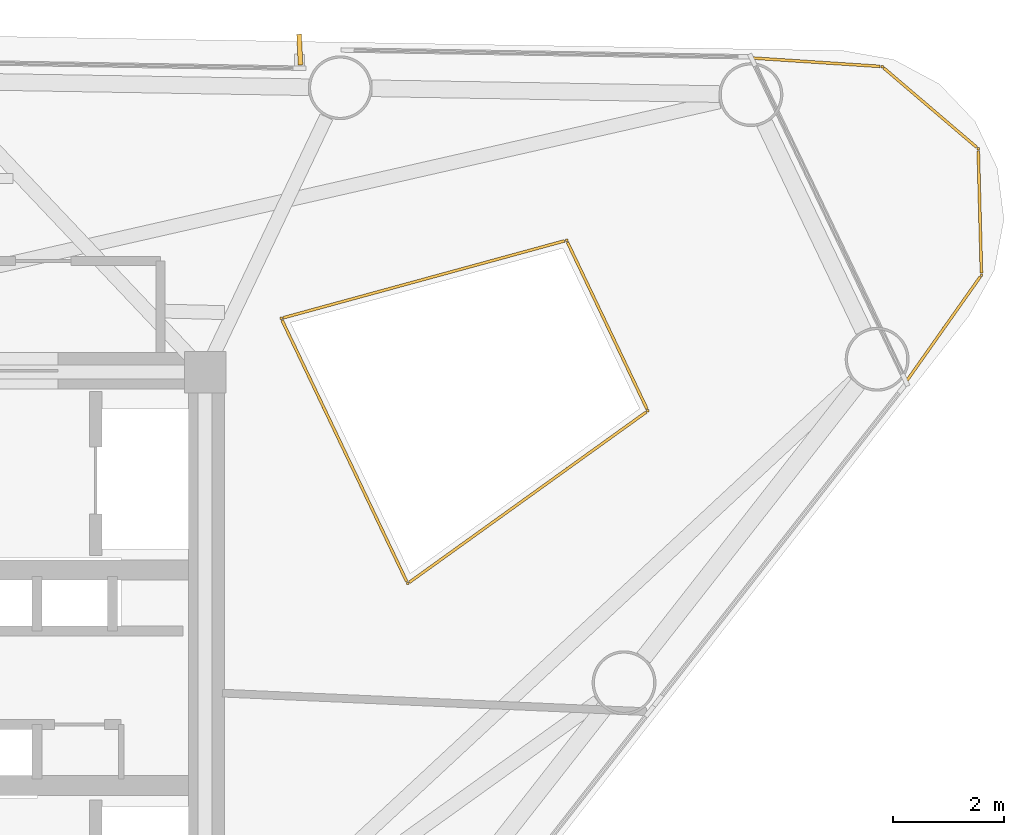
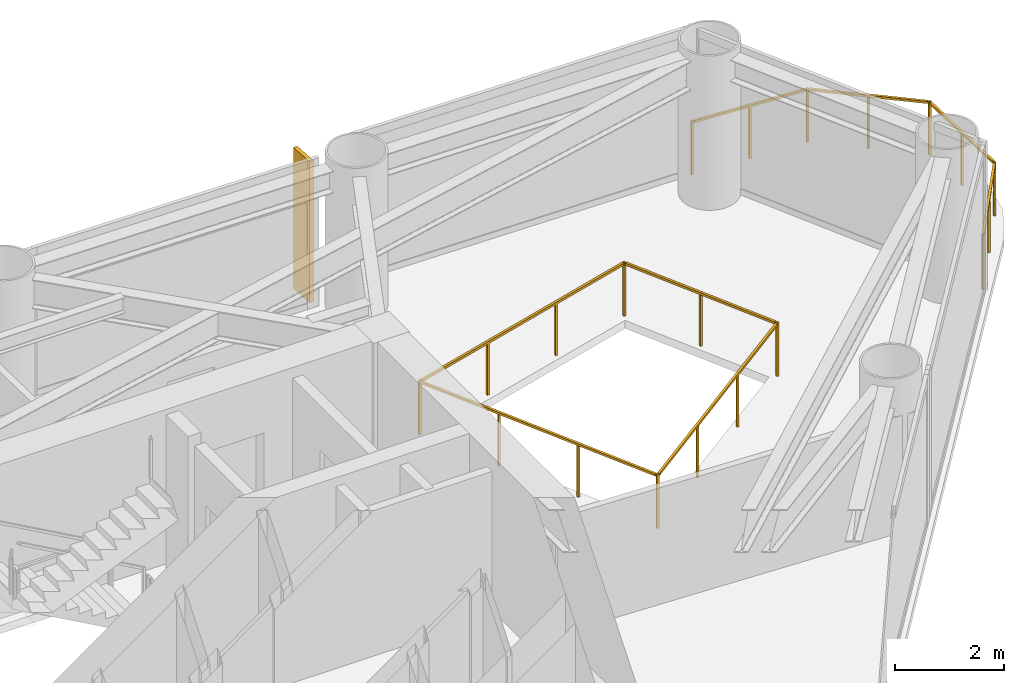
# One storey, part 9 of 9: 2 railings, 1 shading device.
"""IFC4 building model written with IfcOpenShell, lengths in metres."""

from ifc_helpers import new_model, si_unit, direction, frame, origin, origin_2d, place, context, subcontext, project, spatial, rectangle, extrude, source, transform, mapped, material, material_profile, profile_set, type_object, element, save


model = new_model("IFC4")

# Units and contexts
model_context = context("Model", 3, precision=1e-05, world=origin(), true_north=direction((0.0, 1.0)))
body_context = subcontext(model_context, "Body", "Model", "MODEL_VIEW")
ifc_project = project(units=[si_unit("LENGTHUNIT", "METRE"), si_unit("AREAUNIT", "SQUARE_METRE"), si_unit("VOLUMEUNIT", "CUBIC_METRE"), si_unit("PLANEANGLEUNIT", "RADIAN"), si_unit("MASSUNIT", "GRAM", prefix="KILO")], contexts=[model_context])

# Site, building, storey
site_placement = place(None, origin())
site = spatial("IfcSite", under=ifc_project, at=site_placement, CompositionType="ELEMENT")
building_placement = place(site_placement, origin())
building = spatial("IfcBuilding", under=site, at=building_placement, Name="Yunling Apex Tower", CompositionType="ELEMENT")
storey_placement = place(building_placement, frame((0.0, 0.0, 194.89990234375)))
storey = spatial("IfcBuildingStorey", under=building, at=storey_placement, Name="L47", CompositionType="ELEMENT", Elevation=194.89990234375)

# Railings
ifc_material = material(Name="Bronze anodised aluminium", Category="aluminium")
railing_type = type_object("IfcRailingType", Name="RL-BAL-1200", PredefinedType="BALUSTRADE", material=ifc_material)
railing_1_placement = place(storey_placement, frame((15.8828125, 11.15380859375, 0.0)))
element("IfcRailing", 1, at=railing_1_placement, inside=storey, type_object=railing_type, Name="RL-CRNSILL-L47-1", PredefinedType="BALUSTRADE", context=body_context, shape_type="SweptSolid", body=[
    extrude(rectangle(XDim=0.0439453125, YDim=0.0439453125, at=origin_2d()), origin(), (0.0, 0.0, 1.0), 1.199951171875),
    extrude(rectangle(XDim=0.0439453125, YDim=0.0439453125, at=origin_2d()), frame((2.349365234375, -0.154541015625, 0.0)), (0.0, 0.0, 1.0), 1.199951171875),
    extrude(rectangle(XDim=0.050048828125, YDim=0.050048828125, at=origin_2d()), frame((0.038330078125, -0.00244140625, 1.1748046875), z_axis=(0.997843498088, -0.065638047832, 0.0), x_axis=(0.065638047832, 0.997843498088, 0.0)), (0.0, 0.0, 1.0), 2.27783203125),
    extrude(rectangle(XDim=0.0439453125, YDim=0.0439453125, at=origin_2d()), frame((1.1748046875, -0.0771484375, 0.0)), (0.0, 0.0, 1.0), 1.14599609375),
    extrude(rectangle(XDim=0.0439453125, YDim=0.0439453125, at=origin_2d()), frame((4.080322265625, -1.6318359375, 0.0)), (0.0, 0.0, 1.0), 1.199951171875),
    extrude(rectangle(XDim=0.050048828125, YDim=0.050048828125, at=origin_2d()), frame((2.37841796875, -0.179443359375, 1.1748046875), z_axis=(0.760640732553, -0.6491730709, 0.0), x_axis=(0.6491730709, 0.760640732553, 0.0)), (0.0, 0.0, 1.0), 2.198974609375),
    extrude(rectangle(XDim=0.0439453125, YDim=0.0439453125, at=origin_2d()), frame((3.21484375, -0.89306640625, 0.0)), (0.0, 0.0, 1.0), 1.14599609375),
    extrude(rectangle(XDim=0.0439453125, YDim=0.0439453125, at=origin_2d()), frame((4.138916015625, -3.90673828125, 0.0)), (0.0, 0.0, 1.0), 1.199951171875),
    extrude(rectangle(XDim=0.050048828125, YDim=0.050048828125, at=origin_2d()), frame((4.081298828125, -1.670166015625, 1.1748046875), z_axis=(0.025748060881, -0.999668463722, 0.0), x_axis=(0.999668463722, 0.025748060881, 0.0)), (0.0, 0.0, 1.0), 2.198974609375),
    extrude(rectangle(XDim=0.0439453125, YDim=0.0439453125, at=origin_2d()), frame((4.109619140625, -2.769287109375, 0.0)), (0.0, 0.0, 1.0), 1.14599609375),
    extrude(rectangle(XDim=0.0439453125, YDim=0.0439453125, at=origin_2d()), frame((2.78076171875, -5.829833984375, 0.0)), (0.0, 0.0, 1.0), 1.199951171875),
    extrude(rectangle(XDim=0.050048828125, YDim=0.050048828125, at=origin_2d()), frame((4.11669921875, -3.93798828125, 1.1748046875), z_axis=(-0.57687453298, -0.81683276942, 0.0), x_axis=(0.81683276942, -0.57687453298, 0.0)), (0.0, 0.0, 1.0), 2.277587890625),
    extrude(rectangle(XDim=0.0439453125, YDim=0.0439453125, at=origin_2d()), frame((3.4599609375, -4.8681640625, 0.0)), (0.0, 0.0, 1.0), 1.14599609375),
])
railing_2_placement = place(storey_placement, frame((7.41845703125, 6.46728515625, 0.0)))
element("IfcRailing", 2, at=railing_2_placement, inside=storey, type_object=railing_type, Name="RL-TATR-L47", PredefinedType="BALUSTRADE", context=body_context, shape_type="SweptSolid", body=[
    extrude(rectangle(XDim=0.0439453125, YDim=0.0439453125, at=origin_2d()), origin(), (0.0, 0.0, 1.0), 1.199951171875),
    extrude(rectangle(XDim=0.0439453125, YDim=0.0439453125, at=origin_2d()), frame((5.135498046875, 1.404541015625, 0.0)), (0.0, 0.0, 1.0), 1.199951171875),
    extrude(rectangle(XDim=0.050048828125, YDim=0.050048828125, at=origin_2d()), frame((0.036865234375, 0.010009765625, 1.1748046875), z_axis=(0.964575212807, 0.263807996162, 0.0), x_axis=(-0.263807996162, 0.964575212807, 0.0)), (0.0, 0.0, 1.0), 5.24755859375),
    extrude(rectangle(XDim=0.0439453125, YDim=0.0439453125, at=origin_2d()), frame((1.7119140625, 0.46826171875, 0.0)), (0.0, 0.0, 1.0), 1.14599609375),
    extrude(rectangle(XDim=0.0439453125, YDim=0.0439453125, at=origin_2d()), frame((3.423583984375, 0.936279296875, 0.0)), (0.0, 0.0, 1.0), 1.14599609375),
    extrude(rectangle(XDim=0.0439453125, YDim=0.0439453125, at=origin_2d()), frame((6.599609375, -1.664794921875, 0.0)), (0.0, 0.0, 1.0), 1.199951171875),
    extrude(rectangle(XDim=0.050048828125, YDim=0.050048828125, at=origin_2d()), frame((5.152099609375, 1.369873046875, 1.1748046875), z_axis=(0.430538211034, -0.902572351028, 0.0), x_axis=(0.902572351028, 0.430538211034, 0.0)), (0.0, 0.0, 1.0), 3.323974609375),
    extrude(rectangle(XDim=0.0439453125, YDim=0.0439453125, at=origin_2d()), frame((5.86767578125, -0.130126953125, 0.0)), (0.0, 0.0, 1.0), 1.14599609375),
    extrude(rectangle(XDim=0.0439453125, YDim=0.0439453125, at=origin_2d()), frame((2.276123046875, -4.77197265625, 0.0)), (0.0, 0.0, 1.0), 1.199951171875),
    extrude(rectangle(XDim=0.050048828125, YDim=0.050048828125, at=origin_2d()), frame((6.568603515625, -1.687255859375, 1.1748046875), z_axis=(-0.812044572196, -0.583595418733, 0.0), x_axis=(0.583595418733, -0.812044572196, 0.0)), (0.0, 0.0, 1.0), 5.24755859375),
    extrude(rectangle(XDim=0.0439453125, YDim=0.0439453125, at=origin_2d()), frame((5.158447265625, -2.700439453125, 0.0)), (0.0, 0.0, 1.0), 1.14599609375),
    extrude(rectangle(XDim=0.0439453125, YDim=0.0439453125, at=origin_2d()), frame((3.71728515625, -3.736328125, 0.0)), (0.0, 0.0, 1.0), 1.14599609375),
    extrude(rectangle(XDim=0.050048828125, YDim=0.050048828125, at=origin_2d()), frame((2.259521484375, -4.7373046875, 1.1748046875), z_axis=(-0.430512460038, 0.902584634121, 0.0), x_axis=(-0.902584634121, -0.430512460038, 0.0)), (0.0, 0.0, 1.0), 5.21044921875),
    extrude(rectangle(XDim=0.0439453125, YDim=0.0439453125, at=origin_2d()), frame((1.517333984375, -3.181396484375, 0.0)), (0.0, 0.0, 1.0), 1.14599609375),
    extrude(rectangle(XDim=0.0439453125, YDim=0.0439453125, at=origin_2d()), frame((0.7587890625, -1.590576171875, 0.0)), (0.0, 0.0, 1.0), 1.14599609375),
])

# Shading device
ifc_material_profile = material_profile(ifc_material, rectangle(XDim=0.0849609375, YDim=0.550048828125, at=origin_2d()))
ifc_profile_set = profile_set([ifc_material_profile], Name="Bronze anodised aluminium")
shading_device_type = type_object("IfcShadingDeviceType", Name="FN-BRZ-3", PredefinedType="USERDEFINED", material=ifc_profile_set)
shared_shape = source(origin(), body_context, "Body", "SweptSolid", [
    extrude(rectangle(XDim=0.0849609375, YDim=0.550048828125, at=origin_2d()), origin(), (0.0, 0.0, 1.0), 3.14990234375),
])
shading_device_placement = place(storey_placement, frame((7.75341796875, 11.30517578125, 0.06005859375), z_axis=(0.0, 0.0, 1.0), x_axis=(-0.998814648022, -0.048675444496, 0.0)))
element("IfcShadingDevice", 3, at=shading_device_placement, inside=storey, type_object=shading_device_type, Name="CW-L47-F2-B2-FIN-01", ObjectType="FIN", PredefinedType="USERDEFINED", context=body_context, shape_type="MappedRepresentation", body=[
    mapped(shared_shape, transform((0.0, 0.0, 0.0), scale=1.0)),
])

save(model, "model.ifc")
